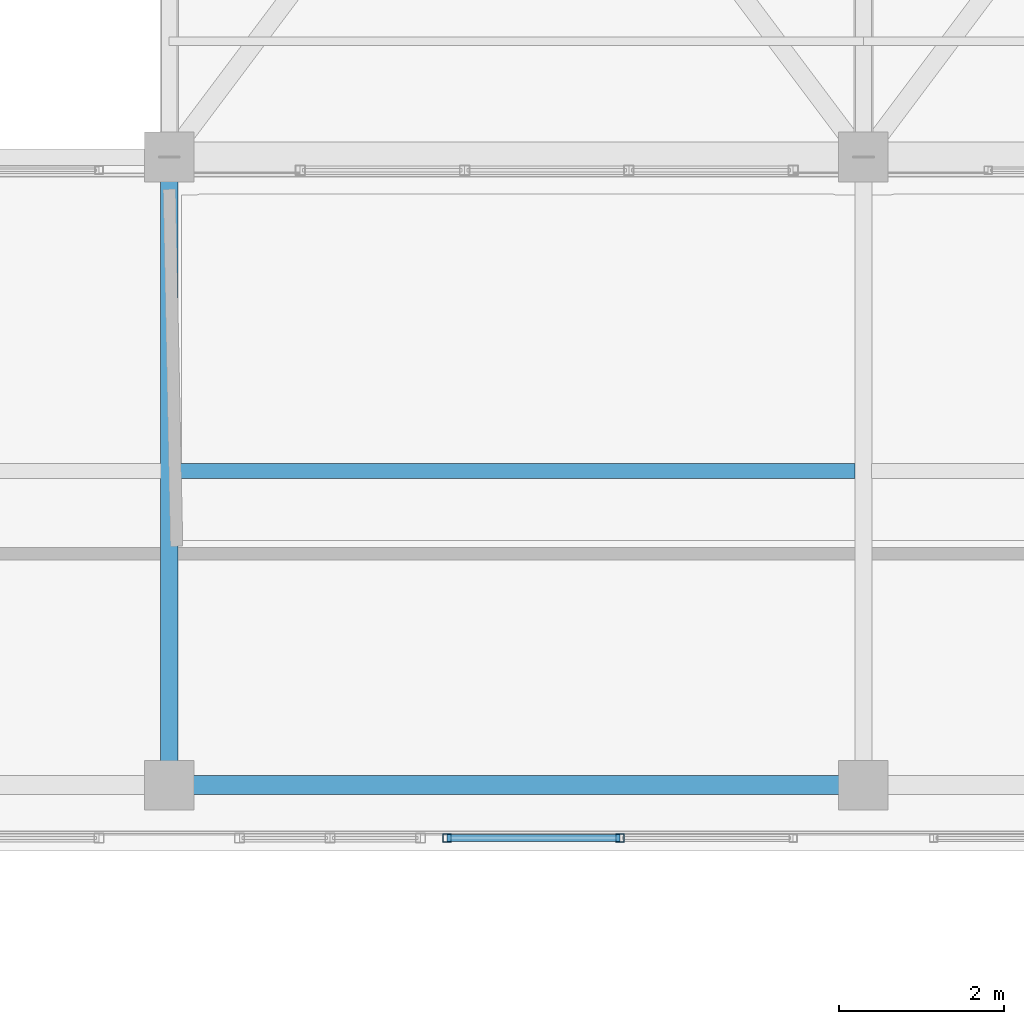
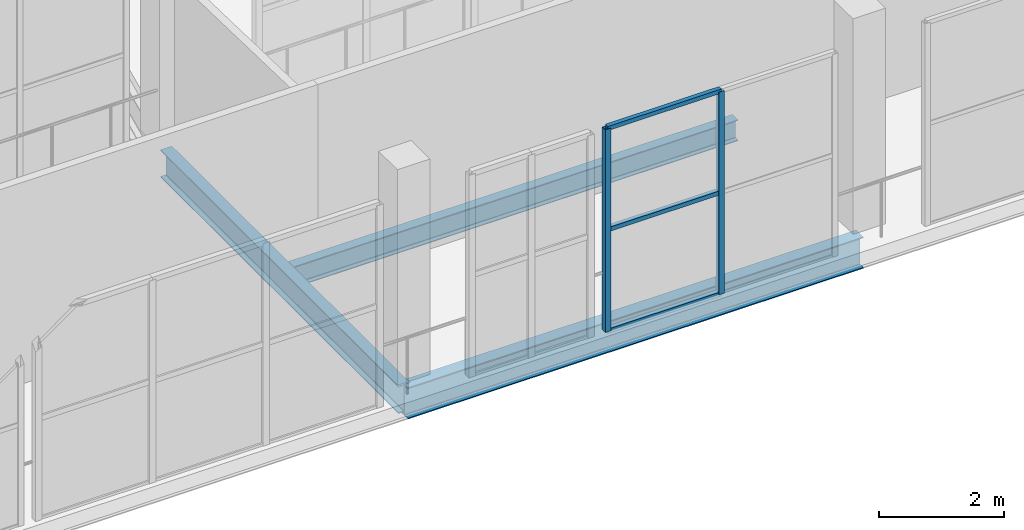
# One storey, part 62 of 217: 5 members, 3 beams, 1 element without a shape of its own.
"""IFC4 building model written with IfcOpenShell, lengths in metres."""

from ifc_helpers import new_model, si_unit, direction, frame, origin, origin_2d, place, context, subcontext, project, spatial, hollow_rectangle, i_section, extrude, material, material_profile, profile_set, type_object, element, aggregate, save


model = new_model("IFC4")

# Units and contexts
model_context = context("Model", 3, precision=1e-05, world=origin(), true_north=direction((0.0, 1.0)))
body_context = subcontext(model_context, "Body", "Model", "MODEL_VIEW")
ifc_project = project(units=[si_unit("LENGTHUNIT", "METRE"), si_unit("AREAUNIT", "SQUARE_METRE"), si_unit("VOLUMEUNIT", "CUBIC_METRE"), si_unit("PLANEANGLEUNIT", "RADIAN"), si_unit("MASSUNIT", "GRAM", prefix="KILO")], contexts=[model_context])

# Site, building, storey
site_placement = place(None, origin())
site = spatial("IfcSite", under=ifc_project, at=site_placement, CompositionType="ELEMENT")
building_placement = place(site_placement, origin())
building = spatial("IfcBuilding", under=site, at=building_placement, Name="Zuvorla Pavilion Media Centre", CompositionType="ELEMENT")
storey_placement = place(building_placement, frame((0.0, 0.0, 9.60009765625)))
storey = spatial("IfcBuildingStorey", under=building, at=storey_placement, Name="L02", CompositionType="ELEMENT", Elevation=9.60009765625)

# Beams
ifc_material_1 = material(Name="Steel S355", Category="steel")
ifc_material_profile_1 = material_profile(ifc_material_1, i_section(OverallWidth=0.1787109375, OverallDepth=0.409423828125, WebThickness=0.0087890625, FlangeThickness=0.014404296875, FilletRadius=0.01025390625, at=origin_2d()), Name="UB 406x178x67")
ifc_profile_set_1 = profile_set([ifc_material_profile_1], Name="Steel S355")
beam_type_1 = type_object("IfcBeamType", Name="BM-UB406", PredefinedType="JOIST", material=ifc_profile_set_1)
beam_1_placement = place(storey_placement, frame((66.89990234375, 85.800048828125, -0.472900390625), z_axis=(1.0, 0.0, 0.0), x_axis=(0.0, 1.0, 0.0)))
element("IfcBeam", 1, at=beam_1_placement, inside=storey, type_object=beam_type_1, Name="L02 joist J02 1010", PredefinedType="JOIST", context=body_context, shape_type="SweptSolid", body=[
    extrude(i_section(OverallWidth=0.1787109375, OverallDepth=0.409423828125, WebThickness=0.0087890625, FlangeThickness=0.014404296875, FilletRadius=0.01025390625, at=origin_2d()), origin(), (0.0, 0.0, 1.0), 8.2001953125),
])
ifc_material_profile_2 = material_profile(ifc_material_1, i_section(OverallWidth=0.2099609375, OverallDepth=0.53662109375, WebThickness=0.0107421875, FlangeThickness=0.017333984375, FilletRadius=0.0126953125, at=origin_2d()), Name="UB 533x210x101")
ifc_profile_set_2 = profile_set([ifc_material_profile_2], Name="Steel S355")
beam_type_2 = type_object("IfcBeamType", Name="BM-UB533", PredefinedType="BEAM", material=ifc_profile_set_2)
beam_2_placement = place(storey_placement, frame((66.800048828125, 82.0, -0.536376953125), z_axis=(0.0, 1.0, 0.0), x_axis=(-1.0, 0.0, 0.0)))
element("IfcBeam", 2, at=beam_2_placement, inside=storey, type_object=beam_type_2, Name="L02 beam B08 929", PredefinedType="BEAM", context=body_context, shape_type="SweptSolid", body=[
    extrude(i_section(OverallWidth=0.2099609375, OverallDepth=0.53662109375, WebThickness=0.0107421875, FlangeThickness=0.017333984375, FilletRadius=0.0126953125, at=origin_2d()), origin(), (0.0, 0.0, 1.0), 7.60009765625),
])
ifc_material_profile_3 = material_profile(ifc_material_1, i_section(OverallWidth=0.22900390625, OverallDepth=0.6123046875, WebThickness=0.011962890625, FlangeThickness=0.01953125, FilletRadius=0.0126953125, at=origin_2d()), Name="UB 610x229x125")
ifc_profile_set_3 = profile_set([ifc_material_profile_3], Name="Steel S355")
beam_type_3 = type_object("IfcBeamType", Name="BM-UB610", PredefinedType="BEAM", material=ifc_profile_set_3)
beam_3_placement = place(storey_placement, frame((66.800048828125, 82.0, -0.57421875), z_axis=(1.0, 0.0, 0.0), x_axis=(0.0, 1.0, 0.0)))
element("IfcBeam", 3, at=beam_3_placement, inside=storey, type_object=beam_type_3, Name="L02 beam B07 865", PredefinedType="BEAM", context=body_context, shape_type="SweptSolid", body=[
    extrude(i_section(OverallWidth=0.22900390625, OverallDepth=0.6123046875, WebThickness=0.011962890625, FlangeThickness=0.01953125, FilletRadius=0.0126953125, at=origin_2d()), origin(), (0.0, 0.0, 1.0), 8.39990234375),
])

# Curtain wall, members
ifc_material_2 = material(Name="Unitised anodised aluminium and solar glass curtain wall", Category="aluminium")
curtain_wall_type = type_object("IfcCurtainWallType", Name="CW-SYS-43", PredefinedType="USERDEFINED", material=ifc_material_2)
curtain_wall_placement = place(storey_placement, origin())
curtain_wall = element("IfcCurtainWall", 4, at=curtain_wall_placement, inside=storey, type_object=curtain_wall_type, Name="L02 curtain wall CW43 64", ObjectType="CURTAIN WALL", PredefinedType="USERDEFINED")
ifc_material_3 = material(Name="Anodised aluminium 6063-T6", Category="aluminium")
ifc_material_profile_4 = material_profile(ifc_material_3, hollow_rectangle(XDim=0.10009765625, YDim=0.10009765625, WallThickness=0.00439453125, at=origin_2d()), Name="ALU MULL 100x100")
ifc_profile_set_4 = profile_set([ifc_material_profile_4], Name="Anodised aluminium 6063-T6")
member_type_1 = type_object("IfcMemberType", Name="CW-MULL-100", PredefinedType="MULLION", material=ifc_profile_set_4)
member_1_placement = place(storey_placement, frame((72.2548828125, 81.360107421875, 0.0), z_axis=(0.0, 0.0, 1.0), x_axis=(1.0, 0.0, 0.0)))
member_1 = element("IfcMember", 5, at=member_1_placement, type_object=member_type_1, Name="CW43 mullion 2", PredefinedType="MULLION", context=body_context, shape_type="SweptSolid", body=[
    extrude(hollow_rectangle(XDim=0.10009765625, YDim=0.10009765625, WallThickness=0.00439453125, at=origin_2d()), origin(), (0.0, 0.0, 1.0), 3.949951171875),
])
member_2_placement = place(storey_placement, frame((70.159912109375, 81.360107421875, 0.0), z_axis=(0.0, 0.0, 1.0), x_axis=(1.0, 0.0, 0.0)))
member_2 = element("IfcMember", 6, at=member_2_placement, type_object=member_type_1, Name="CW43 mullion 3", PredefinedType="MULLION", context=body_context, shape_type="SweptSolid", body=[
    extrude(hollow_rectangle(XDim=0.10009765625, YDim=0.10009765625, WallThickness=0.00439453125, at=origin_2d()), origin(), (0.0, 0.0, 1.0), 3.949951171875),
])
ifc_material_profile_5 = material_profile(ifc_material_3, hollow_rectangle(XDim=0.080078125, YDim=0.080078125, WallThickness=0.00390625, at=origin_2d()), Name="ALU TRAN 80x80")
ifc_profile_set_5 = profile_set([ifc_material_profile_5], Name="Anodised aluminium 6063-T6")
member_type_2 = type_object("IfcMemberType", Name="CW-TRAN-80", PredefinedType="USERDEFINED", material=ifc_profile_set_5)
member_3_placement = place(storey_placement, frame((72.2548828125, 81.360107421875, 0.0), z_axis=(-1.0, 0.0, 0.0), x_axis=(0.0, -1.0, 0.0)))
member_3 = element("IfcMember", 7, at=member_3_placement, type_object=member_type_2, Name="CW43 transom 2.1", ObjectType="TRANSOM", PredefinedType="USERDEFINED", context=body_context, shape_type="SweptSolid", body=[
    extrude(hollow_rectangle(XDim=0.080078125, YDim=0.080078125, WallThickness=0.00390625, at=origin_2d()), origin(), (0.0, 0.0, 1.0), 2.094970703125),
])
member_4_placement = place(storey_placement, frame((72.2548828125, 81.360107421875, 1.974853515625), z_axis=(-1.0, 0.0, 0.0), x_axis=(0.0, -1.0, 0.0)))
member_4 = element("IfcMember", 8, at=member_4_placement, type_object=member_type_2, Name="CW43 transom 2.2", ObjectType="TRANSOM", PredefinedType="USERDEFINED", context=body_context, shape_type="SweptSolid", body=[
    extrude(hollow_rectangle(XDim=0.080078125, YDim=0.080078125, WallThickness=0.00390625, at=origin_2d()), origin(), (0.0, 0.0, 1.0), 2.094970703125),
])
member_5_placement = place(storey_placement, frame((72.2548828125, 81.360107421875, 3.949951171875), z_axis=(-1.0, 0.0, 0.0), x_axis=(0.0, -1.0, 0.0)))
member_5 = element("IfcMember", 9, at=member_5_placement, type_object=member_type_2, Name="CW43 transom 2.3", ObjectType="TRANSOM", PredefinedType="USERDEFINED", context=body_context, shape_type="SweptSolid", body=[
    extrude(hollow_rectangle(XDim=0.080078125, YDim=0.080078125, WallThickness=0.00390625, at=origin_2d()), origin(), (0.0, 0.0, 1.0), 2.094970703125),
])
aggregate(curtain_wall, [member_1, member_2, member_3, member_4, member_5])

save(model, "model.ifc")
